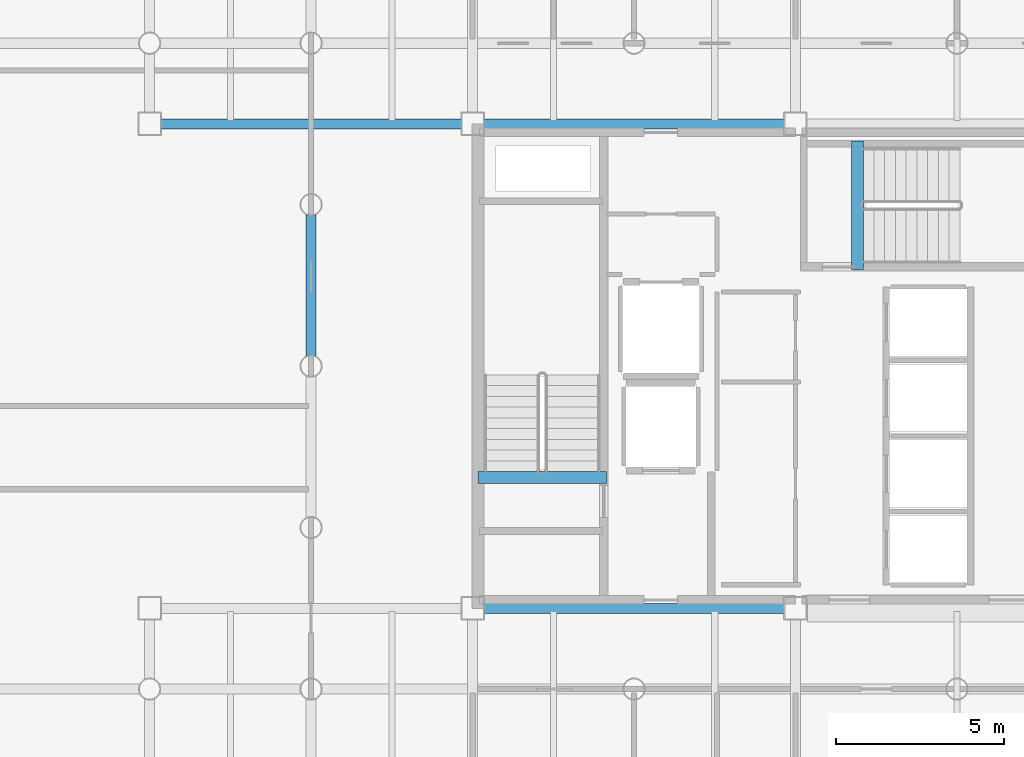
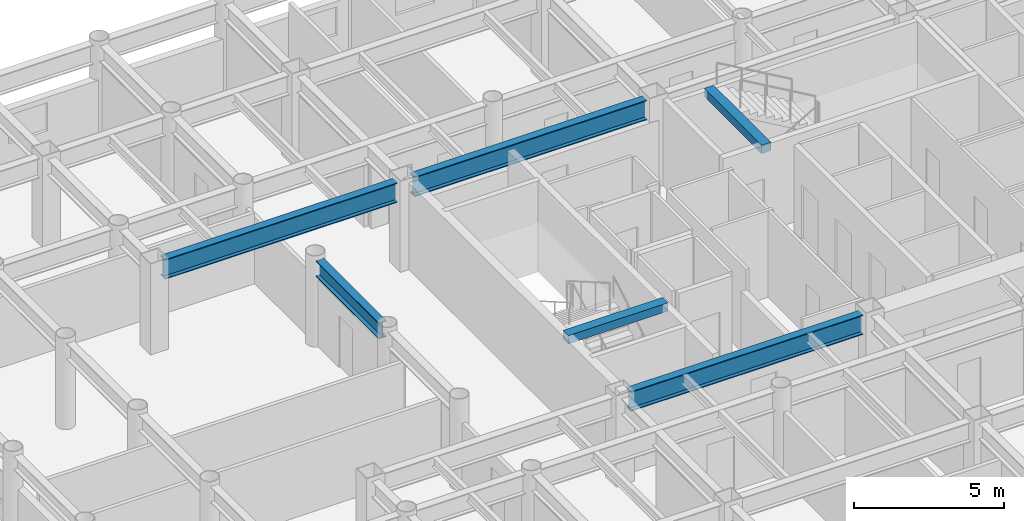
# One storey, part 5 of 20: 6 beams.
"""IFC4 building model written with IfcOpenShell, lengths in metres."""

from ifc_helpers import new_model, si_unit, direction, frame, origin, origin_2d, place, context, subcontext, project, spatial, rectangle, i_section, extrude, material, material_profile, profile_set, type_object, element, save


model = new_model("IFC4")

# Units and contexts
model_context = context("Model", 3, precision=1e-05, world=origin(), true_north=direction((0.0, 1.0)))
body_context = subcontext(model_context, "Body", "Model", "MODEL_VIEW")
ifc_project = project(units=[si_unit("LENGTHUNIT", "METRE"), si_unit("AREAUNIT", "SQUARE_METRE"), si_unit("VOLUMEUNIT", "CUBIC_METRE"), si_unit("PLANEANGLEUNIT", "RADIAN"), si_unit("MASSUNIT", "GRAM", prefix="KILO")], contexts=[model_context])

# Site, building, storey
site_placement = place(None, origin())
site = spatial("IfcSite", under=ifc_project, at=site_placement, CompositionType="ELEMENT")
building_placement = place(site_placement, origin())
building = spatial("IfcBuilding", under=site, at=building_placement, Name="Kallvorn Hotel Tower", CompositionType="ELEMENT")
storey_placement = place(building_placement, frame((0.0, 0.0, 172.89990234375)))
storey = spatial("IfcBuildingStorey", under=building, at=storey_placement, Name="L43", CompositionType="ELEMENT", Elevation=172.89990234375)

# Beams
ifc_material_1 = material(Name="Structural steel S355JR", Category="steel")
ifc_material_profile_1 = material_profile(ifc_material_1, i_section(OverallWidth=0.300048828125, OverallDepth=0.64990234375, WebThickness=0.01611328125, FlangeThickness=0.031005859375, at=origin_2d()), Name="HE 650 B")
ifc_profile_set_1 = profile_set([ifc_material_profile_1], Name="Structural steel S355JR")
beam_type_1 = type_object("IfcBeamType", Name="BM_HE650B", PredefinedType="BEAM", material=ifc_profile_set_1)
beam_1_placement = place(storey_placement, frame((-19.199951171875, 0.304931640625, 3.195068359375), z_axis=(0.0, 1.0, 0.0), x_axis=(-1.0, 0.0, 0.0)))
element("IfcBeam", 1, at=beam_1_placement, inside=storey, type_object=beam_type_1, Name="L44 Primary Y-Girder 94", PredefinedType="BEAM", context=body_context, shape_type="SweptSolid", body=[
    extrude(i_section(OverallWidth=0.300048828125, OverallDepth=0.64990234375, WebThickness=0.01611328125, FlangeThickness=0.031005859375, at=origin_2d()), origin(), (0.0, 0.0, 1.0), 4.190185546875),
])
ifc_material_2 = material(Name="Structural steel S355JR", Category="steel")
ifc_material_profile_2 = material_profile(ifc_material_2, i_section(OverallWidth=0.300048828125, OverallDepth=0.800048828125, WebThickness=0.017578125, FlangeThickness=0.032958984375, at=origin_2d()), Name="HE 800 B")
ifc_profile_set_2 = profile_set([ifc_material_profile_2], Name="Structural steel S355JR")
beam_type_2 = type_object("IfcBeamType", Name="BM_HE800B", PredefinedType="BEAM", material=ifc_profile_set_2)
for number, where, z_axis, x_axis, name in (
    (2, (-14.074951171875, -7.199951171875, 3.1201171875), (1.0, 0.0, 0.0), (0.0, 1.0, 0.0), "L44 Primary X-Girder 34"),
    (3, (-23.675048828125, 7.199951171875, 3.1201171875), (1.0, 0.0, 0.0), (0.0, 1.0, 0.0), "L44 Primary X-Girder 37"),
    (4, (-14.074951171875, 7.199951171875, 3.1201171875), (1.0, 0.0, 0.0), (0.0, 1.0, 0.0), "L44 Primary X-Girder 38"),
):
    element("IfcBeam", number, at=place(storey_placement, frame(where, z_axis=z_axis, x_axis=x_axis)), inside=storey, type_object=beam_type_2, Name=name, PredefinedType="BEAM", context=body_context, shape_type="SweptSolid", body=[
        extrude(i_section(OverallWidth=0.300048828125, OverallDepth=0.800048828125, WebThickness=0.017578125, FlangeThickness=0.032958984375, at=origin_2d()), origin(), (0.0, 0.0, 1.0), 8.949951171875),
    ])
ifc_material_3 = material(Name="Concrete C50/60", Category="concrete")
ifc_material_profile_3 = material_profile(ifc_material_3, rectangle(XDim=0.360107421875, YDim=0.340087890625, at=origin_2d()), Name="RC 360x340")
ifc_profile_set_3 = profile_set([ifc_material_profile_3], Name="Concrete C50/60")
beam_type_3 = type_object("IfcBeamType", Name="BM_RC_400x360", PredefinedType="BEAM", material=ifc_profile_set_3)
beam_2_placement = place(storey_placement, frame((-10.419921875, -3.31005859375, 3.35009765625), z_axis=(-1.0, 0.0, 0.0), x_axis=(0.0, -1.0, 0.0)))
element("IfcBeam", 5, at=beam_2_placement, inside=storey, type_object=beam_type_3, Name="L44 Stair ST1 Arrival Trimmer Beam", PredefinedType="BEAM", context=body_context, shape_type="SweptSolid", body=[
    extrude(rectangle(XDim=0.360107421875, YDim=0.340087890625, at=origin_2d()), origin(), (0.0, 0.0, 1.0), 3.820068359375),
])
beam_3_placement = place(storey_placement, frame((-2.9599609375, 2.8701171875, 3.35009765625), z_axis=(0.0, 1.0, 0.0), x_axis=(-1.0, 0.0, 0.0)))
element("IfcBeam", 6, at=beam_3_placement, inside=storey, type_object=beam_type_3, Name="L44 Stair ST3 Arrival Trimmer Beam", PredefinedType="BEAM", context=body_context, shape_type="SweptSolid", body=[
    extrude(rectangle(XDim=0.360107421875, YDim=0.340087890625, at=origin_2d()), origin(), (0.0, 0.0, 1.0), 3.81982421875),
])

save(model, "model.ifc")
